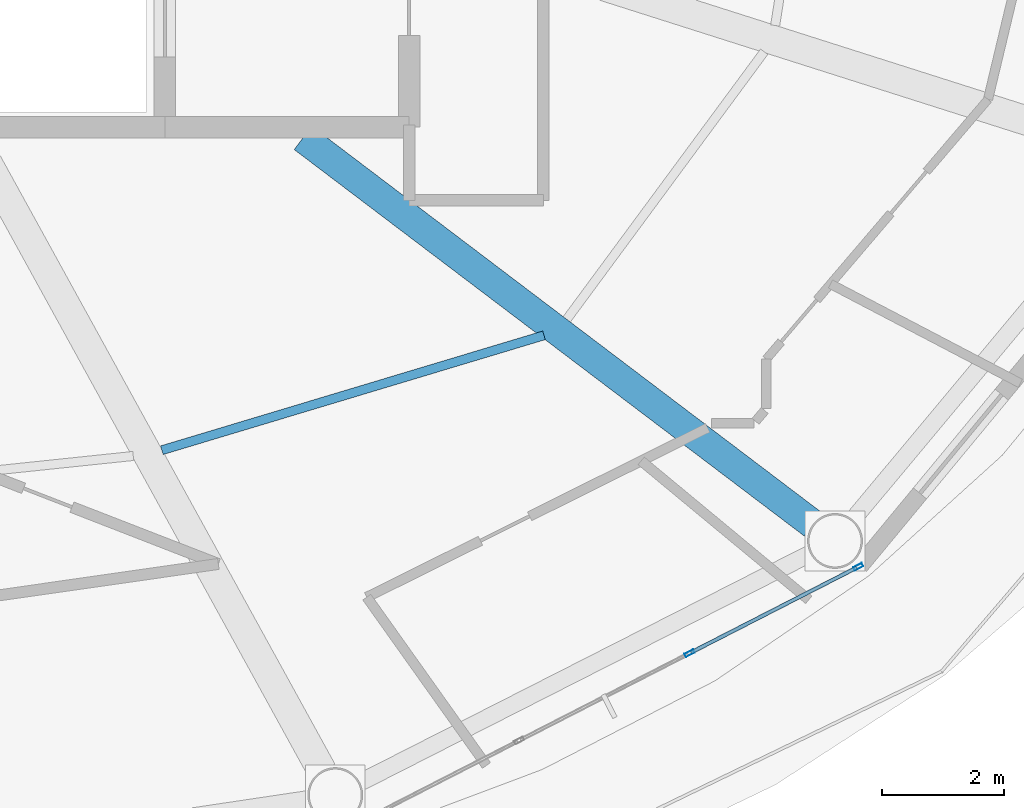
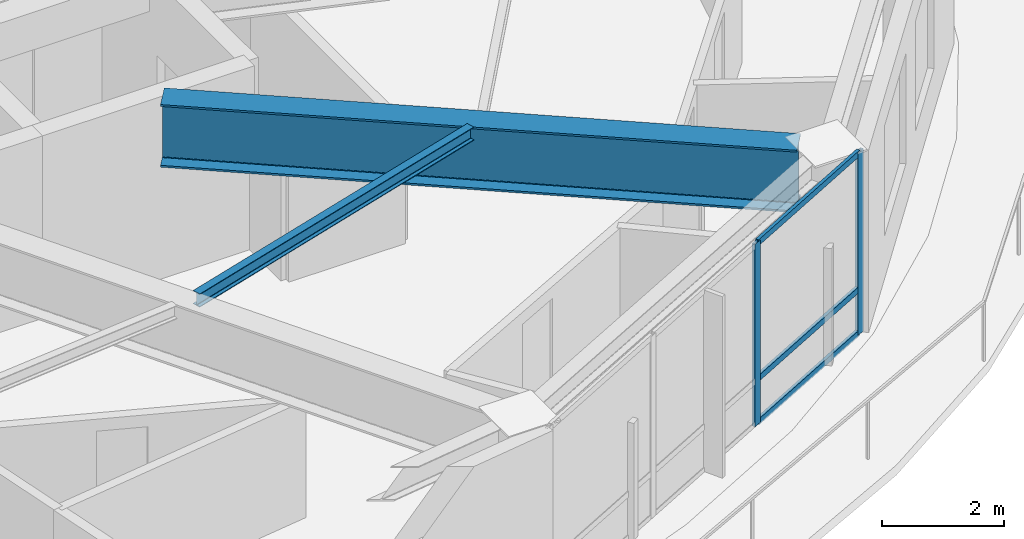
# One storey, part 7 of 24: 5 members, 2 beams, 1 element without a shape of its own.
"""IFC4 building model written with IfcOpenShell, lengths in metres."""

from ifc_helpers import new_model, si_unit, direction, frame, origin, origin_2d, place, context, subcontext, project, spatial, hollow_rectangle, i_section, extrude, material, layer, layer_set, material_profile, profile_set, type_object, element, aggregate, save


model = new_model("IFC4")

# Units and contexts
model_context = context("Model", 3, precision=1e-05, world=origin(), true_north=direction((0.0, 1.0)))
body_context = subcontext(model_context, "Body", "Model", "MODEL_VIEW")
ifc_project = project(units=[si_unit("LENGTHUNIT", "METRE"), si_unit("AREAUNIT", "SQUARE_METRE"), si_unit("VOLUMEUNIT", "CUBIC_METRE"), si_unit("PLANEANGLEUNIT", "RADIAN"), si_unit("MASSUNIT", "GRAM", prefix="KILO")], contexts=[model_context])

# Site, building, storey
site_placement = place(None, origin())
site = spatial("IfcSite", under=ifc_project, at=site_placement, CompositionType="ELEMENT")
building_placement = place(site_placement, origin())
building = spatial("IfcBuilding", under=site, at=building_placement, Name="Sarneth Arch Tower", CompositionType="ELEMENT")
storey_placement = place(building_placement, frame((0.0, 0.0, 312.60009765625)))
storey = spatial("IfcBuildingStorey", under=building, at=storey_placement, Name="L81", CompositionType="ELEMENT", Elevation=312.60009765625)

# Beams
ifc_material_1 = material(Name="Steel S355", Category="steel")
ifc_material_profile_1 = material_profile(ifc_material_1, i_section(OverallWidth=0.14794921875, OverallDepth=0.26611328125, WebThickness=0.007568359375, FlangeThickness=0.012939453125, FilletRadius=0.012939453125, at=origin_2d()), Name="W250x44.8")
ifc_profile_set_1 = profile_set([ifc_material_profile_1], Name="Steel S355")
beam_type_1 = type_object("IfcBeamType", Name="BM-JOIST-250", PredefinedType="JOIST", material=ifc_profile_set_1)
beam_1_placement = place(storey_placement, frame((54.951171875, 29.909423828125, 3.5068359375), z_axis=(0.957656467792, 0.287913337128, 0.0), x_axis=(-0.287913337128, 0.957656467792, 0.0)))
element("IfcBeam", 1, at=beam_1_placement, inside=storey, type_object=beam_type_1, Name="L81 Secondary floor joist 14", PredefinedType="JOIST", context=body_context, shape_type="SweptSolid", body=[
    extrude(i_section(OverallWidth=0.14794921875, OverallDepth=0.26611328125, WebThickness=0.007568359375, FlangeThickness=0.012939453125, FilletRadius=0.012939453125, at=origin_2d()), origin(), (0.0, 0.0, 1.0), 6.53515625),
])
ifc_material_2 = material(Name="Steel S355", Category="steel")
ifc_material_profile_2 = material_profile(ifc_material_2, i_section(OverallWidth=0.47998046875, OverallDepth=1.25, WebThickness=0.02001953125, FlangeThickness=0.0380859375, FilletRadius=0.02197265625, at=origin_2d()), Name="CVS1250x520")
ifc_profile_set_2 = profile_set([ifc_material_profile_2], Name="Steel S355")
beam_type_2 = type_object("IfcBeamType", Name="BM-XFER-1250", PredefinedType="BEAM", material=ifc_profile_set_2)
beam_2_placement = place(storey_placement, frame((57.262451171875, 35.02490234375, 3.014892578125), z_axis=(0.797055453375, -0.603906122047, 0.0), x_axis=(0.603906122047, 0.797055453375, 0.0)))
element("IfcBeam", 2, at=beam_2_placement, inside=storey, type_object=beam_type_2, Name="L81 Step-taper transfer girder 15", PredefinedType="BEAM", context=body_context, shape_type="SweptSolid", body=[
    extrude(i_section(OverallWidth=0.47998046875, OverallDepth=1.25, WebThickness=0.02001953125, FlangeThickness=0.0380859375, FilletRadius=0.02197265625, at=origin_2d()), origin(), (0.0, 0.0, 1.0), 10.481201171875),
])

# Curtain wall, members
ifc_material_3 = material(Name="Anodised aluminium Type AA25 and solar-control low-e laminated IGU", Category="aluminium")
ifc_layer = layer(ifc_material_3, 0.179931640625)
ifc_layer_set = layer_set([ifc_layer], Name="Anodised aluminium Type AA25 and solar-control low-e laminated IGU")
curtain_wall_type = type_object("IfcCurtainWallType", Name="CW-RES-HIGH", PredefinedType="NOTDEFINED", material=ifc_layer_set)
curtain_wall_placement = place(storey_placement, origin())
curtain_wall = element("IfcCurtainWall", 3, at=curtain_wall_placement, inside=storey, type_object=curtain_wall_type, Name="L81 Unitised curtain wall facet 14", PredefinedType="NOTDEFINED")
ifc_material_4 = material(Name="Anodised Aluminium 6063-T6", Category="aluminium")
ifc_material_profile_3 = material_profile(ifc_material_4, hollow_rectangle(XDim=0.06005859375, YDim=0.159912109375, WallThickness=0.00390625, at=origin_2d()), Name="AL-MULL-160x60x4")
ifc_profile_set_3 = profile_set([ifc_material_profile_3], Name="Anodised Aluminium 6063-T6")
member_type_1 = type_object("IfcMemberType", Name="CW-MULLION", PredefinedType="MULLION", material=ifc_profile_set_3)
member_1_placement = place(storey_placement, frame((63.592529296875, 26.584228515625, 0.0), z_axis=(0.0, 0.0, 1.0), x_axis=(-0.455941901753, 0.890009540525, 0.0)))
member_1 = element("IfcMember", 4, at=member_1_placement, type_object=member_type_1, Name="CW-SYS-6 mullion 3", PredefinedType="MULLION", context=body_context, shape_type="SweptSolid", body=[
    extrude(hollow_rectangle(XDim=0.06005859375, YDim=0.159912109375, WallThickness=0.00390625, at=origin_2d()), origin(), (0.0, 0.0, 1.0), 3.639892578125),
])
member_2_placement = place(storey_placement, frame((66.355712890625, 27.999755859375, 0.0), z_axis=(0.0, 0.0, 1.0), x_axis=(-0.455941901753, 0.890009540525, 0.0)))
member_2 = element("IfcMember", 5, at=member_2_placement, type_object=member_type_1, Name="CW-SYS-6 mullion 4", PredefinedType="MULLION", context=body_context, shape_type="SweptSolid", body=[
    extrude(hollow_rectangle(XDim=0.06005859375, YDim=0.159912109375, WallThickness=0.00390625, at=origin_2d()), origin(), (0.0, 0.0, 1.0), 3.639892578125),
])
ifc_material_5 = material(Name="Anodised Aluminium 6063-T6", Category="aluminium")
ifc_material_profile_4 = material_profile(ifc_material_5, hollow_rectangle(XDim=0.06005859375, YDim=0.1201171875, WallThickness=0.00390625, at=origin_2d()), Name="AL-TRAN-120x60x4")
ifc_profile_set_4 = profile_set([ifc_material_profile_4], Name="Anodised Aluminium 6063-T6")
member_type_2 = type_object("IfcMemberType", Name="CW-TRANSOM", PredefinedType="USERDEFINED", material=ifc_profile_set_4)
member_3_placement = place(storey_placement, frame((63.619140625, 26.597900390625, 0.02978515625), z_axis=(0.890022732705, 0.455916149384, 0.0), x_axis=(-0.455916149384, 0.890022732705, 0.0)))
member_3 = element("IfcMember", 6, at=member_3_placement, type_object=member_type_2, Name="CW-SYS-6 transom 3.1", ObjectType="TRANSOM", PredefinedType="USERDEFINED", context=body_context, shape_type="SweptSolid", body=[
    extrude(hollow_rectangle(XDim=0.06005859375, YDim=0.1201171875, WallThickness=0.00390625, at=origin_2d()), origin(), (0.0, 0.0, 1.0), 3.044921875),
])
member_4_placement = place(storey_placement, frame((63.619140625, 26.597900390625, 0.89990234375), z_axis=(0.890022732705, 0.455916149384, 0.0), x_axis=(-0.455916149384, 0.890022732705, 0.0)))
member_4 = element("IfcMember", 7, at=member_4_placement, type_object=member_type_2, Name="CW-SYS-6 transom 3.2", ObjectType="TRANSOM", PredefinedType="USERDEFINED", context=body_context, shape_type="SweptSolid", body=[
    extrude(hollow_rectangle(XDim=0.06005859375, YDim=0.1201171875, WallThickness=0.00390625, at=origin_2d()), origin(), (0.0, 0.0, 1.0), 3.044921875),
])
member_5_placement = place(storey_placement, frame((63.619140625, 26.597900390625, 3.60986328125), z_axis=(0.890022732705, 0.455916149384, 0.0), x_axis=(-0.455916149384, 0.890022732705, 0.0)))
member_5 = element("IfcMember", 8, at=member_5_placement, type_object=member_type_2, Name="CW-SYS-6 transom 3.3", ObjectType="TRANSOM", PredefinedType="USERDEFINED", context=body_context, shape_type="SweptSolid", body=[
    extrude(hollow_rectangle(XDim=0.06005859375, YDim=0.1201171875, WallThickness=0.00390625, at=origin_2d()), origin(), (0.0, 0.0, 1.0), 3.044921875),
])
aggregate(curtain_wall, [member_1, member_2, member_3, member_4, member_5])

save(model, "model.ifc")
